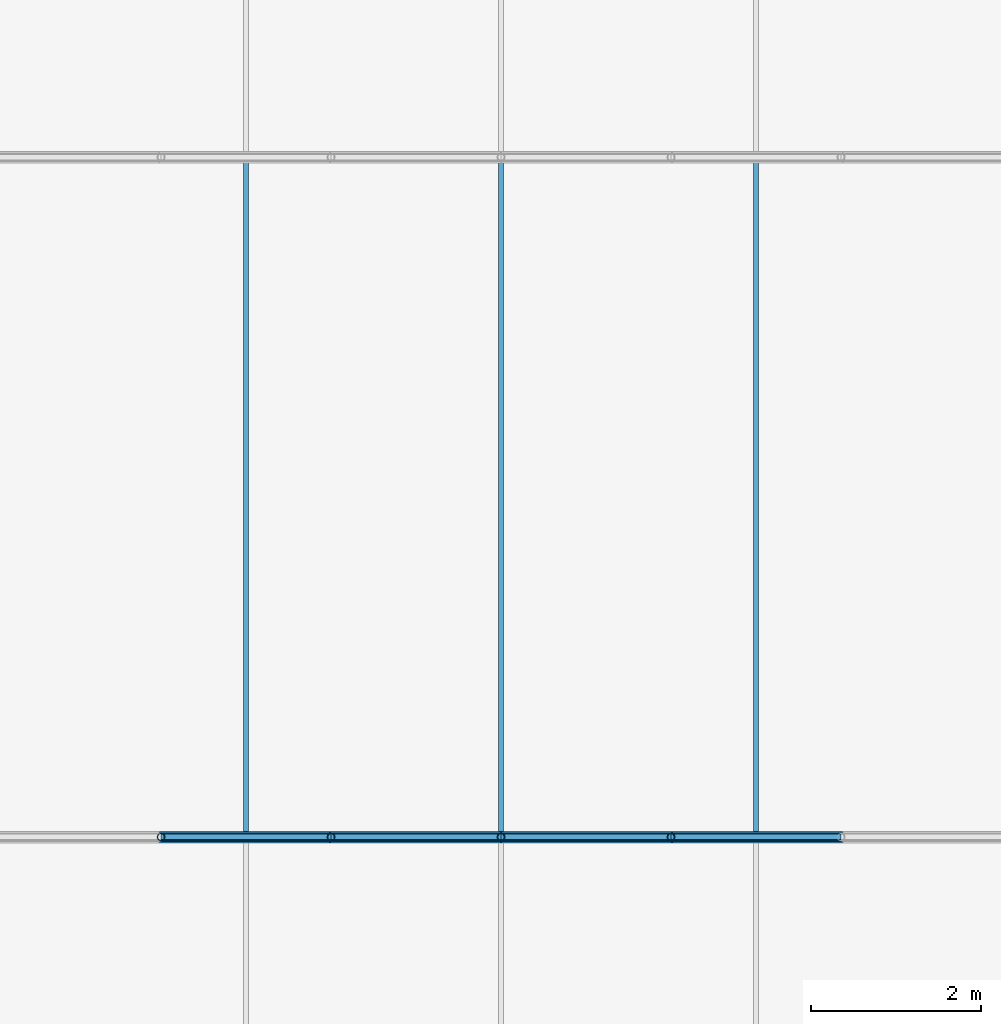
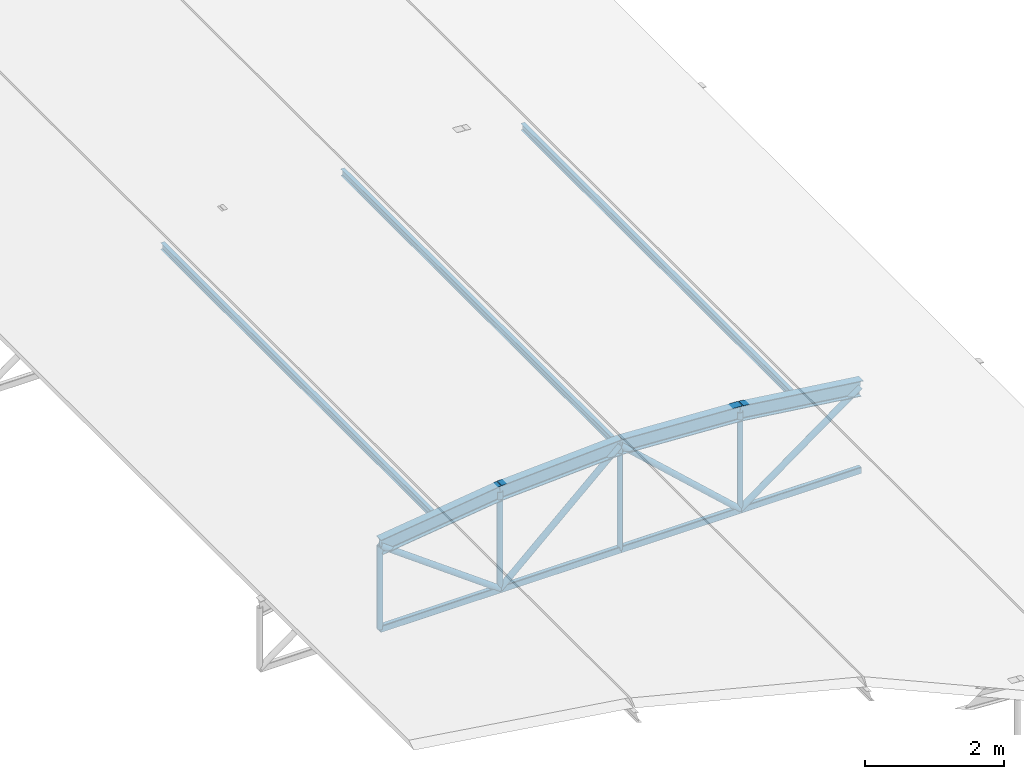
# One storey, part 16 of 54: 19 members.
"""IFC4 building model written with IfcOpenShell, lengths in metres."""

from ifc_helpers import new_model, si_unit, derived_unit, direction, frame, origin, origin_2d, place, context, subcontext, project, spatial, hollow_rectangle, hollow_circle, i_section, extrude, material, material_profile, profile_set, type_object, element, save


model = new_model("IFC4")

# Units and contexts
model_context = context("Model", 3, precision=1e-05, world=origin(), true_north=direction((0.0, 1.0)))
body_context = subcontext(model_context, "Body", "Model", "MODEL_VIEW")
ifc_project = project(units=[si_unit("LENGTHUNIT", "METRE"), si_unit("AREAUNIT", "SQUARE_METRE"), si_unit("VOLUMEUNIT", "CUBIC_METRE"), si_unit("PLANEANGLEUNIT", "RADIAN"), si_unit("MASSUNIT", "GRAM", prefix="KILO"), derived_unit("THERMALTRANSMITTANCEUNIT", [(si_unit("POWERUNIT", "WATT"), 1), (si_unit("LENGTHUNIT", "METRE"), -2), (si_unit("THERMODYNAMICTEMPERATUREUNIT", "KELVIN"), -1)])], contexts=[model_context])

# Site, building, storey
site_placement = place(None, origin())
site = spatial("IfcSite", under=ifc_project, at=site_placement, CompositionType="ELEMENT")
building_placement = place(site_placement, origin())
building = spatial("IfcBuilding", under=site, at=building_placement, Name="Keldorne Ridge Multi-Sports Centre", CompositionType="ELEMENT")
storey_placement = place(building_placement, frame((0.0, 0.0, 22.199951171875)))
storey = spatial("IfcBuildingStorey", under=building, at=storey_placement, Name="ROOF", CompositionType="ELEMENT", Elevation=22.199951171875)

# Members
ifc_material = material(Name="Steel S355", Category="steel")
ifc_material_profile_1 = material_profile(ifc_material, i_section(OverallWidth=0.06396484375, OverallDepth=0.1201171875, WebThickness=0.00439453125, FlangeThickness=0.00634765625, FilletRadius=0.007080078125, at=origin_2d()), Name="IPE 120")
ifc_profile_set_1 = profile_set([ifc_material_profile_1], Name="Steel S355")
member_type_1 = type_object("IfcMemberType", Name="MEM-PR-05", PredefinedType="PURLIN", material=ifc_profile_set_1)
for number, where, z_axis, x_axis, name in (
    (1, (87.0, 30.0, -12.179931640625), (0.0, 1.0, 0.0), (-1.0, 0.0, 0.0), "Public Passage canopy purlin 87.4"),
    (2, (90.0, 30.0, -11.929931640625), (0.0, 1.0, 0.0), (-1.0, 0.0, 0.0), "Public Passage canopy purlin 90.4"),
    (3, (93.0, 30.0, -12.179931640625), (0.0, 1.0, 0.0), (-1.0, 0.0, 0.0), "Public Passage canopy purlin 93.4"),
):
    element("IfcMember", number, at=place(storey_placement, frame(where, z_axis=z_axis, x_axis=x_axis)), inside=storey, type_object=member_type_1, Name=name, PredefinedType="PURLIN", context=body_context, shape_type="SweptSolid", body=[
        extrude(i_section(OverallWidth=0.06396484375, OverallDepth=0.1201171875, WebThickness=0.00439453125, FlangeThickness=0.00634765625, FilletRadius=0.007080078125, at=origin_2d()), origin(), (0.0, 0.0, 1.0), 8.0),
    ])
ifc_material_profile_2 = material_profile(ifc_material, i_section(OverallWidth=0.135009765625, OverallDepth=0.27001953125, WebThickness=0.006591796875, FlangeThickness=0.01025390625, FilletRadius=0.014892578125, at=origin_2d()), Name="IPE 270")
ifc_profile_set_2 = profile_set([ifc_material_profile_2], Name="Steel S355")
member_type_2 = type_object("IfcMemberType", Name="MEM-RF-02", PredefinedType="RAFTER", material=ifc_profile_set_2)
member_1_placement = place(storey_placement, frame((86.0, 30.0, -12.260009765625), z_axis=(0.991654998325, 0.0, 0.128919991848), x_axis=(0.0, 1.0, 0.0)))
element("IfcMember", 4, at=member_1_placement, inside=storey, type_object=member_type_2, Name="Public Passage bowstring arch top chord 04.2", PredefinedType="RAFTER", context=body_context, shape_type="SweptSolid", body=[
    extrude(i_section(OverallWidth=0.135009765625, OverallDepth=0.27001953125, WebThickness=0.006591796875, FlangeThickness=0.01025390625, FilletRadius=0.014892578125, at=origin_2d()), origin(), (0.0, 0.0, 1.0), 2.016845703125),
])
for number, where, z_axis, x_axis, name in (
    (5, (88.0, 30.0, -12.0), (0.998487980686, 0.0, 0.054970468663), (0.0, 1.0, 0.0), "Public Passage bowstring arch top chord 04.3"),
    (6, (90.0, 30.0, -11.889892578125), (0.998487980686, 0.0, -0.054970468663), (0.0, 1.0, 0.0), "Public Passage bowstring arch top chord 04.4"),
):
    element("IfcMember", number, at=place(storey_placement, frame(where, z_axis=z_axis, x_axis=x_axis)), inside=storey, type_object=member_type_2, Name=name, PredefinedType="RAFTER", context=body_context, shape_type="SweptSolid", body=[
        extrude(i_section(OverallWidth=0.135009765625, OverallDepth=0.27001953125, WebThickness=0.006591796875, FlangeThickness=0.01025390625, FilletRadius=0.014892578125, at=origin_2d()), origin(), (0.0, 0.0, 1.0), 2.0029296875),
    ])
member_2_placement = place(storey_placement, frame((92.0, 30.0, -12.0), z_axis=(0.991654998325, 0.0, -0.128919991848), x_axis=(0.0, 1.0, 0.0)))
element("IfcMember", 7, at=member_2_placement, inside=storey, type_object=member_type_2, Name="Public Passage bowstring arch top chord 04.5", PredefinedType="RAFTER", context=body_context, shape_type="SweptSolid", body=[
    extrude(i_section(OverallWidth=0.135009765625, OverallDepth=0.27001953125, WebThickness=0.006591796875, FlangeThickness=0.01025390625, FilletRadius=0.014892578125, at=origin_2d()), origin(), (0.0, 0.0, 1.0), 2.016845703125),
])
ifc_material_profile_3 = material_profile(ifc_material, hollow_rectangle(XDim=0.080078125, YDim=0.1201171875, WallThickness=0.008056640625, InnerFilletRadius=0.008056640625, OuterFilletRadius=0.01611328125, at=origin_2d()), Name="RHS 120x80x8")
ifc_profile_set_3 = profile_set([ifc_material_profile_3], Name="Steel S355")
member_type_3 = type_object("IfcMemberType", Name="MEM-TC-07", PredefinedType="CHORD", material=ifc_profile_set_3)
for number, where, z_axis, x_axis, name in (
    (8, (86.0, 30.0, -13.719970703125), (1.0, 0.0, 0.0), (0.0, 1.0, 0.0), "Public Passage bowstring tie chord 04.2"),
    (9, (88.0, 30.0, -13.719970703125), (1.0, 0.0, 0.0), (0.0, 1.0, 0.0), "Public Passage bowstring tie chord 04.3"),
    (10, (90.0, 30.0, -13.719970703125), (1.0, 0.0, 0.0), (0.0, 1.0, 0.0), "Public Passage bowstring tie chord 04.4"),
    (11, (92.0, 30.0, -13.719970703125), (1.0, 0.0, 0.0), (0.0, 1.0, 0.0), "Public Passage bowstring tie chord 04.5"),
):
    element("IfcMember", number, at=place(storey_placement, frame(where, z_axis=z_axis, x_axis=x_axis)), inside=storey, type_object=member_type_3, Name=name, PredefinedType="CHORD", context=body_context, shape_type="SweptSolid", body=[
        extrude(hollow_rectangle(XDim=0.080078125, YDim=0.1201171875, WallThickness=0.008056640625, InnerFilletRadius=0.008056640625, OuterFilletRadius=0.01611328125, at=origin_2d()), origin(), (0.0, 0.0, 1.0), 2.0),
    ])
ifc_material_profile_4 = material_profile(ifc_material, hollow_circle(Radius=0.05078125, WallThickness=0.00634765625, at=origin_2d()), Name="CHS 101.6x6.3")
ifc_profile_set_4 = profile_set([ifc_material_profile_4], Name="Steel S355")
member_type_4 = type_object("IfcMemberType", Name="MEM-TD-05", PredefinedType="BRACE", material=ifc_profile_set_4)
member_3_placement = place(storey_placement, frame((86.0, 30.0, -12.260009765625), z_axis=(0.8076945033, 0.0, -0.589601212125), x_axis=(0.0, 1.0, 0.0)))
element("IfcMember", 12, at=member_3_placement, inside=storey, type_object=member_type_4, Name="Public Passage bowstring web diagonal 04.2", PredefinedType="BRACE", context=body_context, shape_type="SweptSolid", body=[
    extrude(hollow_circle(Radius=0.05078125, WallThickness=0.00634765625, at=origin_2d()), origin(), (0.0, 0.0, 1.0), 2.47607421875),
])
for number, where, z_axis, x_axis, name in (
    (13, (88.0, 30.0, -13.719970703125), (0.737751969913, 0.0, 0.675071870907), (0.0, 1.0, 0.0), "Public Passage bowstring web diagonal 04.3"),
    (14, (90.0, 30.0, -11.889892578125), (0.737751969913, 0.0, -0.675071870907), (0.0, 1.0, 0.0), "Public Passage bowstring web diagonal 04.4"),
):
    element("IfcMember", number, at=place(storey_placement, frame(where, z_axis=z_axis, x_axis=x_axis)), inside=storey, type_object=member_type_4, Name=name, PredefinedType="BRACE", context=body_context, shape_type="SweptSolid", body=[
        extrude(hollow_circle(Radius=0.05078125, WallThickness=0.00634765625, at=origin_2d()), origin(), (0.0, 0.0, 1.0), 2.7109375),
    ])
member_4_placement = place(storey_placement, frame((92.0, 30.0, -13.719970703125), z_axis=(0.8076945033, 0.0, 0.589601212125), x_axis=(0.0, 1.0, 0.0)))
element("IfcMember", 15, at=member_4_placement, inside=storey, type_object=member_type_4, Name="Public Passage bowstring web diagonal 04.5", PredefinedType="BRACE", context=body_context, shape_type="SweptSolid", body=[
    extrude(hollow_circle(Radius=0.05078125, WallThickness=0.00634765625, at=origin_2d()), origin(), (0.0, 0.0, 1.0), 2.47607421875),
])
ifc_material_profile_5 = material_profile(ifc_material, hollow_circle(Radius=0.04443359375, WallThickness=0.0048828125, at=origin_2d()), Name="CHS 88.9x5")
ifc_profile_set_5 = profile_set([ifc_material_profile_5], Name="Steel S355")
member_type_5 = type_object("IfcMemberType", Name="MEM-TV-07", PredefinedType="STRUT", material=ifc_profile_set_5)
member_5_placement = place(storey_placement, frame((86.0, 30.0, -13.719970703125), z_axis=(0.0, 0.0, 1.0), x_axis=(1.0, 0.0, 0.0)))
element("IfcMember", 16, at=member_5_placement, inside=storey, type_object=member_type_5, Name="Public Passage bowstring hanger 04.2", PredefinedType="STRUT", context=body_context, shape_type="SweptSolid", body=[
    extrude(hollow_circle(Radius=0.04443359375, WallThickness=0.0048828125, at=origin_2d()), origin(), (0.0, 0.0, 1.0), 1.4599609375),
])
member_6_placement = place(storey_placement, frame((88.0, 30.0, -13.719970703125), z_axis=(0.0, 0.0, 1.0), x_axis=(1.0, 0.0, 0.0)))
element("IfcMember", 17, at=member_6_placement, inside=storey, type_object=member_type_5, Name="Public Passage bowstring hanger 04.3", PredefinedType="STRUT", context=body_context, shape_type="SweptSolid", body=[
    extrude(hollow_circle(Radius=0.04443359375, WallThickness=0.0048828125, at=origin_2d()), origin(), (0.0, 0.0, 1.0), 1.719970703125),
])
member_7_placement = place(storey_placement, frame((90.0, 30.0, -13.719970703125), z_axis=(0.0, 0.0, 1.0), x_axis=(1.0, 0.0, 0.0)))
element("IfcMember", 18, at=member_7_placement, inside=storey, type_object=member_type_5, Name="Public Passage bowstring hanger 04.4", PredefinedType="STRUT", context=body_context, shape_type="SweptSolid", body=[
    extrude(hollow_circle(Radius=0.04443359375, WallThickness=0.0048828125, at=origin_2d()), origin(), (0.0, 0.0, 1.0), 1.830078125),
])
member_8_placement = place(storey_placement, frame((92.0, 30.0, -13.719970703125), z_axis=(0.0, 0.0, 1.0), x_axis=(1.0, 0.0, 0.0)))
element("IfcMember", 19, at=member_8_placement, inside=storey, type_object=member_type_5, Name="Public Passage bowstring hanger 04.5", PredefinedType="STRUT", context=body_context, shape_type="SweptSolid", body=[
    extrude(hollow_circle(Radius=0.04443359375, WallThickness=0.0048828125, at=origin_2d()), origin(), (0.0, 0.0, 1.0), 1.719970703125),
])

save(model, "model.ifc")
